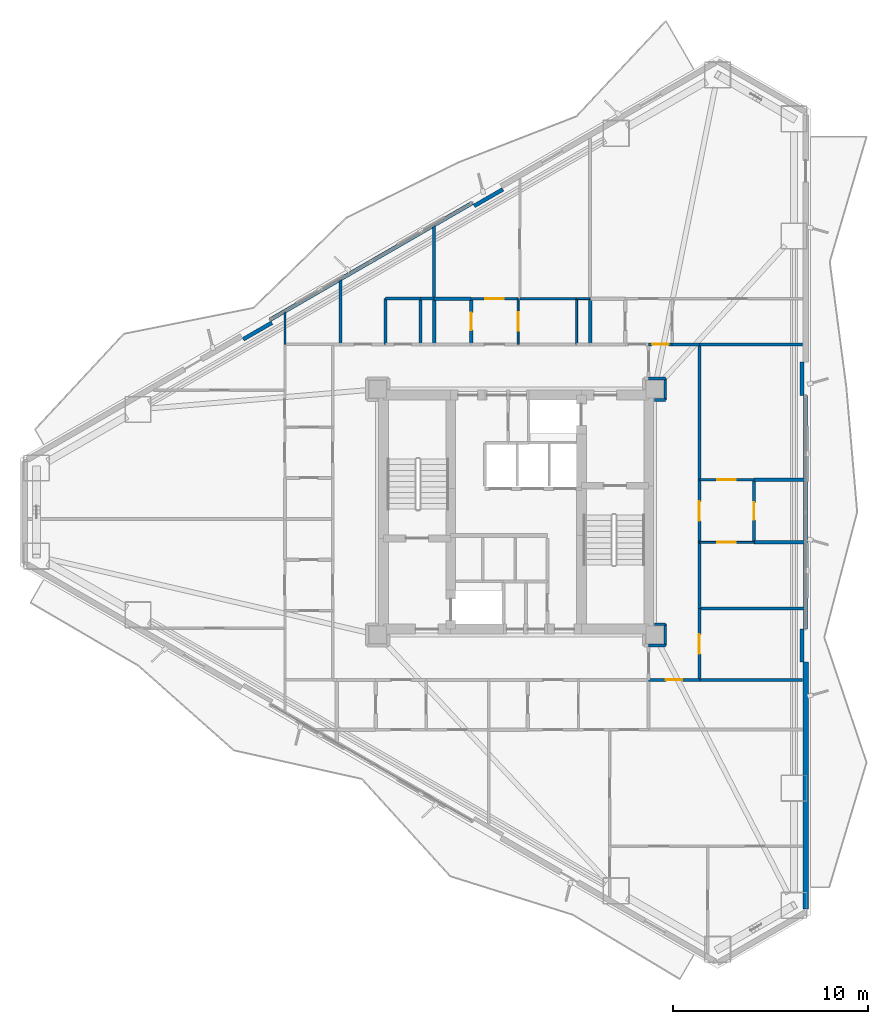
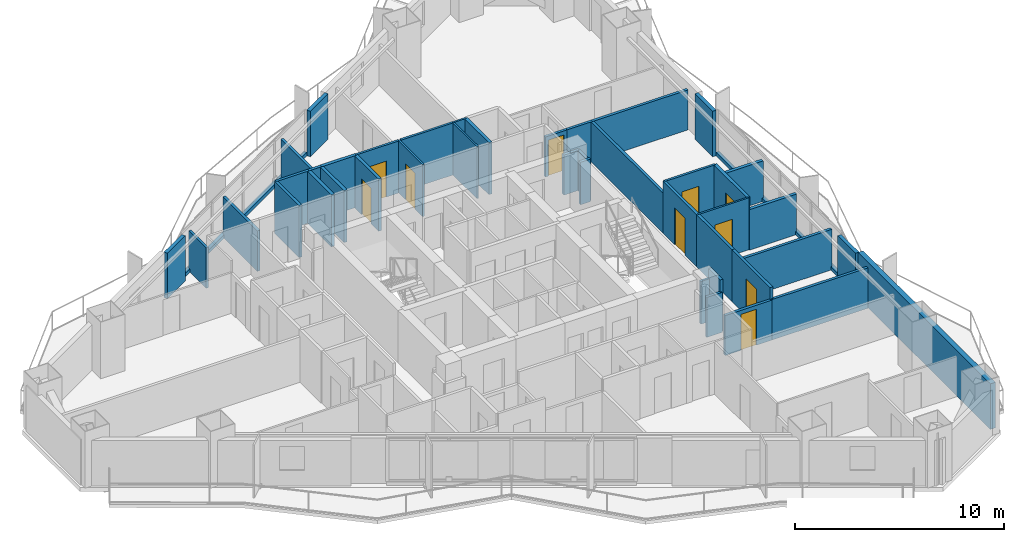
# One storey, part 15 of 18: 44 walls, 10 doors, 10 openings.
"""IFC4 building model written with IfcOpenShell, lengths in metres."""

from ifc_helpers import new_model, si_unit, direction, frame, frame_2d, origin, place, context, subcontext, project, spatial, rectangle, extrude, material, layer, layer_set, type_object, element, fill, save


model = new_model("IFC4")

# Units and contexts
model_context = context("Model", 3, precision=1e-05, world=origin(), true_north=direction((0.0, 1.0)))
body_context = subcontext(model_context, "Body", "Model", "MODEL_VIEW")
ifc_project = project(units=[si_unit("LENGTHUNIT", "METRE"), si_unit("AREAUNIT", "SQUARE_METRE"), si_unit("VOLUMEUNIT", "CUBIC_METRE"), si_unit("PLANEANGLEUNIT", "RADIAN"), si_unit("MASSUNIT", "GRAM", prefix="KILO")], contexts=[model_context])

# Site, building, storey
site_placement = place(None, origin())
site = spatial("IfcSite", under=ifc_project, at=site_placement, CompositionType="ELEMENT")
building_placement = place(site_placement, origin())
building = spatial("IfcBuilding", under=site, at=building_placement, Name="Mersakhor Tower and Convention Hall", CompositionType="ELEMENT")
storey_placement = place(building_placement, frame((0.0, 0.0, 55.5)))
storey = spatial("IfcBuildingStorey", under=building, at=storey_placement, Name="L15", CompositionType="ELEMENT", Elevation=55.5)

# Walls
ifc_material_1 = material(Name="Precast concrete C45/55", Category="concrete")
ifc_layer_1 = layer(ifc_material_1, 0.27490234375)
ifc_layer_set_1 = layer_set([ifc_layer_1], Name="Precast concrete C45/55")
wall_type_1 = type_object("IfcWallType", Name="WL-EXT-275", PredefinedType="SOLIDWALL", material=ifc_layer_set_1)
wall_1_placement = place(storey_placement, frame((43.85009765625, 19.0634765625, 0.0), z_axis=(0.0, 0.0, 1.0), x_axis=(0.0, -1.0, 0.0)))
element("IfcWall", 1, at=wall_1_placement, inside=storey, type_object=wall_type_1, Name="L15 Exterior Facade Wall F2-B3", PredefinedType="SOLIDWALL", context=body_context, shape_type="SweptSolid", body=[
    extrude(rectangle(XDim=12.673095703125, YDim=0.27490234375, at=frame_2d((6.33642578125, 0.0))), origin(), (0.0, 0.0, 1.0), 2.659912109375),
])
ifc_material_2 = material(Name="Precast concrete C40/50", Category="concrete")
ifc_layer_2 = layer(ifc_material_2, 0.199951171875)
ifc_layer_set_2 = layer_set([ifc_layer_2], Name="Precast concrete C40/50")
wall_type_2 = type_object("IfcWallType", Name="WL-PAR-200", PredefinedType="PARAPET", material=ifc_layer_set_2)
wall_2_placement = place(storey_placement, frame((16.390380859375, 36.6171875, 0.0), z_axis=(0.0, 0.0, 1.0), x_axis=(0.866027351828, 0.499996625875, 0.0)))
element("IfcWall", 2, at=wall_2_placement, inside=storey, type_object=wall_type_2, Name="L15 Curtain Wall Upstand Sill F1-B2", PredefinedType="PARAPET", context=body_context, shape_type="SweptSolid", body=[
    extrude(rectangle(XDim=11.97314453125, YDim=0.199951171875, at=frame_2d((5.986572265625, 0.0))), origin(), (0.0, 0.0, 1.0), 0.199951171875),
])
for number, where, z_axis, x_axis, name in (
    (3, (15.00830078125, 35.611328125, 0.0), (0.0, 0.0, 1.0), (0.86605165483, 0.499954529098, 0.0), "L15 Column Pier Cladding Wall F1-C1"),
    (4, (26.849609375, 42.447998046875, 0.0), (0.0, 0.0, 1.0), (0.86605165483, 0.499954529098, 0.0), "L15 Column Pier Cladding Wall F1-C2"),
):
    element("IfcWall", number, at=place(storey_placement, frame(where, z_axis=z_axis, x_axis=x_axis)), inside=storey, type_object=wall_type_2, Name=name, PredefinedType="PARAPET", context=body_context, shape_type="SweptSolid", body=[
        extrude(rectangle(XDim=1.699951171875, YDim=0.199951171875, at=frame_2d((0.85009765625, 0.0))), origin(), (0.0, 0.0, 1.0), 2.659912109375),
    ])
wall_3_placement = place(storey_placement, frame((43.85009765625, 32.736572265625, 0.0), z_axis=(0.0, 0.0, 1.0), x_axis=(0.0, -1.0, 0.0)))
element("IfcWall", 5, at=wall_3_placement, inside=storey, type_object=wall_type_2, Name="L15 Curtain Wall Upstand Sill F2-B2", PredefinedType="PARAPET", context=body_context, shape_type="SweptSolid", body=[
    extrude(rectangle(XDim=11.97314453125, YDim=0.199951171875, at=frame_2d((5.986572265625, 0.0))), origin(), (0.0, 0.0, 1.0), 0.199951171875),
])
for number, where, z_axis, x_axis, name in (
    (6, (43.669921875, 34.4365234375, 0.0), (0.0, 0.0, 1.0), (0.0, -1.0, 0.0), "L15 Column Pier Cladding Wall F2-C1"),
    (7, (43.669921875, 20.763427734375, 0.0), (0.0, 0.0, 1.0), (0.0, -1.0, 0.0), "L15 Column Pier Cladding Wall F2-C2"),
):
    element("IfcWall", number, at=place(storey_placement, frame(where, z_axis=z_axis, x_axis=x_axis)), inside=storey, type_object=wall_type_2, Name=name, PredefinedType="PARAPET", context=body_context, shape_type="SweptSolid", body=[
        extrude(rectangle(XDim=1.699951171875, YDim=0.199951171875, at=frame_2d((0.85009765625, 0.0))), origin(), (0.0, 0.0, 1.0), 2.659912109375),
    ])

# Wall, opening, door
ifc_material_3 = material(Name="Moisture-resistant acoustic drywall studwork", Category="other")
ifc_layer_3 = layer(ifc_material_3, 0.175048828125)
ifc_layer_set_3 = layer_set([ifc_layer_3], Name="Moisture-resistant acoustic drywall studwork")
wall_type_3 = type_object("IfcWallType", Name="WL-PLM-175", PredefinedType="PLUMBINGWALL", material=ifc_layer_set_3)
wall_4_placement = place(storey_placement, frame((26.699951171875, 35.35009765625, 0.0), z_axis=(0.0, 0.0, 1.0), x_axis=(0.0, 1.0, 0.0)))
wall_4 = element("IfcWall", 8, at=wall_4_placement, inside=storey, type_object=wall_type_3, Name="L15 Interior Partition Wall P-073", PredefinedType="PLUMBINGWALL", context=body_context, shape_type="SweptSolid", body=[
    extrude(rectangle(XDim=2.349853515625, YDim=0.175048828125, at=frame_2d((1.1748046875, 0.0))), origin(), (0.0, 0.0, 1.0), 3.0400390625),
])
opening_1_placement = place(wall_4_placement, frame((0.72509765625, 0.0, 0.0)))
opening_1 = element("IfcOpeningElement", 9, at=opening_1_placement, cuts=wall_4, Name="Opening WD-01", PredefinedType="OPENING", context=body_context, shape_type="SweptSolid", body=[
    extrude(rectangle(XDim=0.89990234375, YDim=2.10009765625, at=frame_2d((0.449951171875, 1.050048828125))), frame((0.0, 0.097412109375, 0.0), z_axis=(0.0, -1.0, 0.0), x_axis=(1.0, 0.0, 0.0)), (0.0, 0.0, 1.0), 0.195068359375),
])
ifc_material_4 = material(Name="Solid-core hardwood leaf in painted steel frame", Category="steel")
door_type_1 = type_object("IfcDoorType", Name="DR-INT-WET-090x210", OperationType="NOTDEFINED", PredefinedType="DOOR", material=ifc_material_4)
door_1_placement = place(opening_1_placement, origin())
door_1 = element("IfcDoor", 10, at=door_1_placement, inside=storey, type_object=door_type_1, Name="L15 L15 Flat N2 Apartment Hall to L15 Flat N2 Bathroom Door", OperationType="SINGLE_SWING_RIGHT", OverallHeight=2.10009765625, OverallWidth=0.89990234375, PredefinedType="DOOR", context=body_context, shape_type="SweptSolid", body=[
    extrude(rectangle(XDim=0.89990234375, YDim=2.10009765625, at=frame_2d((0.449951171875, 1.050048828125))), frame((0.0, 0.02490234375, 0.0), z_axis=(0.0, -1.0, 0.0), x_axis=(1.0, 0.0, 0.0)), (0.0, 0.0, 1.0), 0.050048828125),
])
fill(opening_1, door_1)

wall_5_placement = place(storey_placement, frame((41.199951171875, 28.39990234375, 0.0), z_axis=(0.0, 0.0, 1.0), x_axis=(0.0, -1.0, 0.0)))
wall_5 = element("IfcWall", 11, at=wall_5_placement, inside=storey, type_object=wall_type_3, Name="L15 Interior Partition Wall P-089", PredefinedType="PLUMBINGWALL", context=body_context, shape_type="SweptSolid", body=[
    extrude(rectangle(XDim=3.199951171875, YDim=0.175048828125, at=frame_2d((1.60009765625, 0.0))), origin(), (0.0, 0.0, 1.0), 3.0400390625),
])
opening_2_placement = place(wall_5_placement, frame((1.14990234375, 0.0, 0.0)))
opening_2 = element("IfcOpeningElement", 12, at=opening_2_placement, cuts=wall_5, Name="Opening WD-01", PredefinedType="OPENING", context=body_context, shape_type="SweptSolid", body=[
    extrude(rectangle(XDim=0.89990234375, YDim=2.10009765625, at=frame_2d((0.449951171875, 1.050048828125))), frame((0.0, 0.097412109375, 0.0), z_axis=(0.0, -1.0, 0.0), x_axis=(1.0, 0.0, 0.0)), (0.0, 0.0, 1.0), 0.195068359375),
])
door_2_placement = place(opening_2_placement, origin())
door_2 = element("IfcDoor", 13, at=door_2_placement, inside=storey, type_object=door_type_1, Name="L15 L15 Flat E8 Apartment Hall to L15 Flat E8 Bathroom Door", OperationType="SINGLE_SWING_RIGHT", OverallHeight=2.10009765625, OverallWidth=0.89990234375, PredefinedType="DOOR", context=body_context, shape_type="SweptSolid", body=[
    extrude(rectangle(XDim=0.89990234375, YDim=2.10009765625, at=frame_2d((0.449951171875, 1.050048828125))), frame((0.0, 0.02490234375, 0.0), z_axis=(0.0, -1.0, 0.0), x_axis=(1.0, 0.0, 0.0)), (0.0, 0.0, 1.0), 0.050048828125),
])
fill(opening_2, door_2)

# Walls
wall_6_placement = place(storey_placement, frame((24.10009765625, 37.699951171875, 0.0), z_axis=(0.0, 0.0, 1.0), x_axis=(0.0, -1.0, 0.0)))
element("IfcWall", 14, at=wall_6_placement, inside=storey, type_object=wall_type_3, Name="L15 Interior Partition Wall P-093", PredefinedType="PLUMBINGWALL", context=body_context, shape_type="SweptSolid", body=[
    extrude(rectangle(XDim=2.349853515625, YDim=0.175048828125, at=frame_2d((1.1748046875, 0.0))), origin(), (0.0, 0.0, 1.0), 3.0400390625),
])
wall_7_placement = place(storey_placement, frame((24.800048828125, 37.699951171875, 0.0), z_axis=(0.0, 0.0, 1.0), x_axis=(1.0, 0.0, 0.0)))
element("IfcWall", 15, at=wall_7_placement, inside=storey, type_object=wall_type_3, Name="L15 Interior Partition Wall P-095", PredefinedType="PLUMBINGWALL", context=body_context, shape_type="SweptSolid", body=[
    extrude(rectangle(XDim=1.89990234375, YDim=0.175048828125, at=frame_2d((0.949951171875, 0.0))), origin(), (0.0, 0.0, 1.0), 3.0400390625),
])
for number, where, z_axis, x_axis, name in (
    (16, (24.800048828125, 35.35009765625, 0.0), (0.0, 0.0, 1.0), (0.0, 1.0, 0.0), "L15 Interior Partition Wall P-096"),
    (17, (32.800048828125, 35.35009765625, 0.0), (0.0, 0.0, 1.0), (0.0, 1.0, 0.0), "L15 Interior Partition Wall P-100"),
):
    element("IfcWall", number, at=place(storey_placement, frame(where, z_axis=z_axis, x_axis=x_axis)), inside=storey, type_object=wall_type_3, Name=name, PredefinedType="PLUMBINGWALL", context=body_context, shape_type="SweptSolid", body=[
        extrude(rectangle(XDim=2.349853515625, YDim=0.175048828125, at=frame_2d((1.1748046875, 0.0))), origin(), (0.0, 0.0, 1.0), 3.0400390625),
    ])
for number, where, z_axis, x_axis, name in (
    (18, (41.199951171875, 28.39990234375, 0.0), (0.0, 0.0, 1.0), (1.0, 0.0, 0.0), "L15 Interior Partition Wall P-120"),
    (19, (43.81396484375, 25.199951171875, 0.0), (0.0, 0.0, 1.0), (-1.0, 0.0, 0.0), "L15 Interior Partition Wall P-121"),
):
    element("IfcWall", number, at=place(storey_placement, frame(where, z_axis=z_axis, x_axis=x_axis)), inside=storey, type_object=wall_type_3, Name=name, PredefinedType="PLUMBINGWALL", context=body_context, shape_type="SweptSolid", body=[
        extrude(rectangle(XDim=2.614013671875, YDim=0.175048828125, at=frame_2d((1.30712890625, 0.0))), origin(), (0.0, 0.0, 1.0), 2.364990234375),
    ])

# Wall, opening, door
ifc_material_5 = material(Name="Lightweight gypsum partition", Category="other")
ifc_layer_4 = layer(ifc_material_5, 0.10009765625)
ifc_layer_set_4 = layer_set([ifc_layer_4], Name="Lightweight gypsum partition")
wall_type_4 = type_object("IfcWallType", Name="WL-PRT-100", PredefinedType="PARTITIONING", material=ifc_layer_set_4)
wall_8_placement = place(storey_placement, frame((29.10009765625, 37.699951171875, 0.0), z_axis=(0.0, 0.0, 1.0), x_axis=(0.0, -1.0, 0.0)))
wall_8 = element("IfcWall", 20, at=wall_8_placement, inside=storey, type_object=wall_type_4, Name="L15 Interior Partition Wall P-072", PredefinedType="PARTITIONING", context=body_context, shape_type="SweptSolid", body=[
    extrude(rectangle(XDim=2.349853515625, YDim=0.10009765625, at=frame_2d((1.1748046875, 0.0))), origin(), (0.0, 0.0, 1.0), 3.0400390625),
])
opening_3_placement = place(wall_8_placement, frame((0.699951171875, 0.0, 0.0)))
opening_3 = element("IfcOpeningElement", 21, at=opening_3_placement, cuts=wall_8, Name="Opening RD-01", PredefinedType="OPENING", context=body_context, shape_type="SweptSolid", body=[
    extrude(rectangle(XDim=0.949951171875, YDim=2.10009765625, at=frame_2d((0.47509765625, 1.050048828125))), frame((0.0, 0.06005859375, 0.0), z_axis=(0.0, -1.0, 0.0), x_axis=(1.0, 0.0, 0.0)), (0.0, 0.0, 1.0), 0.1201171875),
])
ifc_material_6 = material(Name="Solid-core hardwood leaf in painted steel frame", Category="steel")
door_type_2 = type_object("IfcDoorType", Name="DR-INT-RM-095x210", OperationType="NOTDEFINED", PredefinedType="DOOR", material=ifc_material_6)
door_3_placement = place(opening_3_placement, origin())
door_3 = element("IfcDoor", 22, at=door_3_placement, inside=storey, type_object=door_type_2, Name="L15 L15 Flat N2 Apartment Hall to L15 Flat N2 Kitchen Door", OperationType="SINGLE_SWING_LEFT", OverallHeight=2.10009765625, OverallWidth=0.949951171875, PredefinedType="DOOR", context=body_context, shape_type="SweptSolid", body=[
    extrude(rectangle(XDim=0.949951171875, YDim=2.10009765625, at=frame_2d((0.47509765625, 1.050048828125))), frame((0.0, 0.02490234375, 0.0), z_axis=(0.0, -1.0, 0.0), x_axis=(1.0, 0.0, 0.0)), (0.0, 0.0, 1.0), 0.050048828125),
])
fill(opening_3, door_3)

wall_9_placement = place(storey_placement, frame((41.199951171875, 25.199951171875, 0.0), z_axis=(0.0, 0.0, 1.0), x_axis=(-1.0, 0.0, 0.0)))
wall_9 = element("IfcWall", 23, at=wall_9_placement, inside=storey, type_object=wall_type_4, Name="L15 Interior Partition Wall P-090", PredefinedType="PARTITIONING", context=body_context, shape_type="SweptSolid", body=[
    extrude(rectangle(XDim=2.800048828125, YDim=0.10009765625, at=frame_2d((1.39990234375, 0.0))), origin(), (0.0, 0.0, 1.0), 3.0400390625),
])
opening_4_placement = place(wall_9_placement, frame((0.925048828125, 0.0, 0.0)))
opening_4 = element("IfcOpeningElement", 24, at=opening_4_placement, cuts=wall_9, Name="Opening RD-01", PredefinedType="OPENING", context=body_context, shape_type="SweptSolid", body=[
    extrude(rectangle(XDim=0.949951171875, YDim=2.10009765625, at=frame_2d((0.47509765625, 1.050048828125))), frame((0.0, 0.06005859375, 0.0), z_axis=(0.0, -1.0, 0.0), x_axis=(1.0, 0.0, 0.0)), (0.0, 0.0, 1.0), 0.1201171875),
])
door_4_placement = place(opening_4_placement, origin())
door_4 = element("IfcDoor", 25, at=door_4_placement, inside=storey, type_object=door_type_2, Name="L15 L15 Flat E8 Apartment Hall to L15 Flat E8 Kitchen Door", OperationType="SINGLE_SWING_LEFT", OverallHeight=2.10009765625, OverallWidth=0.949951171875, PredefinedType="DOOR", context=body_context, shape_type="SweptSolid", body=[
    extrude(rectangle(XDim=0.949951171875, YDim=2.10009765625, at=frame_2d((0.47509765625, 1.050048828125))), frame((0.0, 0.02490234375, 0.0), z_axis=(0.0, -1.0, 0.0), x_axis=(1.0, 0.0, 0.0)), (0.0, 0.0, 1.0), 0.050048828125),
])
fill(opening_4, door_4)

# Walls
wall_10_placement = place(storey_placement, frame((32.10009765625, 37.699951171875, 0.0), z_axis=(0.0, 0.0, 1.0), x_axis=(0.0, -1.0, 0.0)))
element("IfcWall", 26, at=wall_10_placement, inside=storey, type_object=wall_type_4, Name="L15 Interior Partition Wall P-098", PredefinedType="PARTITIONING", context=body_context, shape_type="SweptSolid", body=[
    extrude(rectangle(XDim=2.349853515625, YDim=0.10009765625, at=frame_2d((1.1748046875, 0.0))), origin(), (0.0, 0.0, 1.0), 3.0400390625),
])
wall_11_placement = place(storey_placement, frame((32.800048828125, 37.699951171875, 0.0), z_axis=(0.0, 0.0, 1.0), x_axis=(-1.0, 0.0, 0.0)))
element("IfcWall", 27, at=wall_11_placement, inside=storey, type_object=wall_type_4, Name="L15 Interior Partition Wall P-130", PredefinedType="PARTITIONING", context=body_context, shape_type="SweptSolid", body=[
    extrude(rectangle(XDim=0.699951171875, YDim=0.10009765625, at=frame_2d((0.35009765625, 0.0))), origin(), (0.0, 0.0, 1.0), 3.0400390625),
])

# Wall, opening, door
ifc_material_7 = material(Name="Gypsum board acoustic partition", Category="other")
ifc_layer_5 = layer(ifc_material_7, 0.125)
ifc_layer_set_5 = layer_set([ifc_layer_5], Name="Gypsum board acoustic partition")
wall_type_5 = type_object("IfcWallType", Name="WL-PRT-125", PredefinedType="PARTITIONING", material=ifc_layer_set_5)
wall_12_placement = place(storey_placement, frame((26.699951171875, 37.699951171875, 0.0), z_axis=(0.0, 0.0, 1.0), x_axis=(1.0, 0.0, 0.0)))
wall_12 = element("IfcWall", 28, at=wall_12_placement, inside=storey, type_object=wall_type_5, Name="L15 Interior Partition Wall P-071", PredefinedType="PARTITIONING", context=body_context, shape_type="SweptSolid", body=[
    extrude(rectangle(XDim=2.400146484375, YDim=0.125, at=frame_2d((1.2001953125, 0.0))), origin(), (0.0, 0.0, 1.0), 3.0400390625),
])
opening_5_placement = place(wall_12_placement, frame((0.72509765625, 0.0, 0.0)))
opening_5 = element("IfcOpeningElement", 29, at=opening_5_placement, cuts=wall_12, Name="Opening RD-01", PredefinedType="OPENING", context=body_context, shape_type="SweptSolid", body=[
    extrude(rectangle(XDim=0.949951171875, YDim=2.10009765625, at=frame_2d((0.47509765625, 1.050048828125))), frame((0.0, 0.072509765625, 0.0), z_axis=(0.0, -1.0, 0.0), x_axis=(1.0, 0.0, 0.0)), (0.0, 0.0, 1.0), 0.14501953125),
])
door_5_placement = place(opening_5_placement, origin())
door_5 = element("IfcDoor", 30, at=door_5_placement, inside=storey, type_object=door_type_2, Name="L15 L15 Flat N2 Apartment Hall to L15 Flat N2 Living and Dining Room Door", OperationType="SINGLE_SWING_RIGHT", OverallHeight=2.10009765625, OverallWidth=0.949951171875, PredefinedType="DOOR", context=body_context, shape_type="SweptSolid", body=[
    extrude(rectangle(XDim=0.949951171875, YDim=2.10009765625, at=frame_2d((0.47509765625, 1.050048828125))), frame((0.0, 0.02490234375, 0.0), z_axis=(0.0, -1.0, 0.0), x_axis=(1.0, 0.0, 0.0)), (0.0, 0.0, 1.0), 0.050048828125),
])
fill(opening_5, door_5)

wall_13_placement = place(storey_placement, frame((38.39990234375, 28.39990234375, 0.0), z_axis=(0.0, 0.0, 1.0), x_axis=(1.0, 0.0, 0.0)))
wall_13 = element("IfcWall", 31, at=wall_13_placement, inside=storey, type_object=wall_type_5, Name="L15 Interior Partition Wall P-091", PredefinedType="PARTITIONING", context=body_context, shape_type="SweptSolid", body=[
    extrude(rectangle(XDim=2.800048828125, YDim=0.125, at=frame_2d((1.39990234375, 0.0))), origin(), (0.0, 0.0, 1.0), 3.0400390625),
])
opening_6_placement = place(wall_13_placement, frame((0.925048828125, 0.0, 0.0)))
opening_6 = element("IfcOpeningElement", 32, at=opening_6_placement, cuts=wall_13, Name="Opening RD-01", PredefinedType="OPENING", context=body_context, shape_type="SweptSolid", body=[
    extrude(rectangle(XDim=0.949951171875, YDim=2.10009765625, at=frame_2d((0.47509765625, 1.050048828125))), frame((0.0, 0.072509765625, 0.0), z_axis=(0.0, -1.0, 0.0), x_axis=(1.0, 0.0, 0.0)), (0.0, 0.0, 1.0), 0.14501953125),
])
door_6_placement = place(opening_6_placement, origin())
door_6 = element("IfcDoor", 33, at=door_6_placement, inside=storey, type_object=door_type_2, Name="L15 L15 Flat E8 Apartment Hall to L15 Flat E8 Studio Living and Sleeping Room Door", OperationType="SINGLE_SWING_RIGHT", OverallHeight=2.10009765625, OverallWidth=0.949951171875, PredefinedType="DOOR", context=body_context, shape_type="SweptSolid", body=[
    extrude(rectangle(XDim=0.949951171875, YDim=2.10009765625, at=frame_2d((0.47509765625, 1.050048828125))), frame((0.0, 0.02490234375, 0.0), z_axis=(0.0, -1.0, 0.0), x_axis=(1.0, 0.0, 0.0)), (0.0, 0.0, 1.0), 0.050048828125),
])
fill(opening_6, door_6)

# Walls
wall_14_placement = place(storey_placement, frame((29.199951171875, 37.699951171875, 0.0), z_axis=(0.0, 0.0, 1.0), x_axis=(1.0, 0.0, 0.0)))
element("IfcWall", 34, at=wall_14_placement, inside=storey, type_object=wall_type_5, Name="L15 Interior Partition Wall P-097", PredefinedType="PARTITIONING", context=body_context, shape_type="SweptSolid", body=[
    extrude(rectangle(XDim=2.900146484375, YDim=0.125, at=frame_2d((1.4501953125, 0.0))), origin(), (0.0, 0.0, 1.0), 3.0400390625),
])
wall_15_placement = place(storey_placement, frame((17.14990234375, 37.01416015625, 0.0), z_axis=(0.0, 0.0, 1.0), x_axis=(0.0, -1.0, 0.0)))
element("IfcWall", 35, at=wall_15_placement, inside=storey, type_object=wall_type_5, Name="L15 Interior Partition Wall P-143", PredefinedType="PARTITIONING", context=body_context, shape_type="SweptSolid", body=[
    extrude(rectangle(XDim=1.6640625, YDim=0.125, at=frame_2d((0.83203125, 0.0))), origin(), (0.0, 0.0, 1.0), 2.364990234375),
])
ifc_material_8 = material(Name="Fire-rated gypsum board stud partition", Category="other")
ifc_layer_6 = layer(ifc_material_8, 0.14990234375)
ifc_layer_set_6 = layer_set([ifc_layer_6], Name="Fire-rated gypsum board stud partition")
wall_type_6 = type_object("IfcWallType", Name="WL-PRT-150", PredefinedType="PARTITIONING", material=ifc_layer_set_6)
for number, where, z_axis, x_axis, name in (
    (36, (36.64990234375, 21.0, 0.0), (0.0, 0.0, 1.0), (-1.0, 0.0, 0.0), "L15 Interior Partition Wall P-058"),
    (37, (36.10009765625, 32.5, 0.0), (0.0, 0.0, 1.0), (1.0, 0.0, 0.0), "L15 Interior Partition Wall P-059"),
):
    element("IfcWall", number, at=place(storey_placement, frame(where, z_axis=z_axis, x_axis=x_axis)), inside=storey, type_object=wall_type_6, Name=name, PredefinedType="PARTITIONING", context=body_context, shape_type="SweptSolid", body=[
        extrude(rectangle(XDim=0.5498046875, YDim=0.14990234375, at=frame_2d((0.27490234375, 0.0))), origin(), (0.0, 0.0, 1.0), 2.48828125),
    ])
wall_16_placement = place(storey_placement, frame((36.64990234375, 32.5, 0.0), z_axis=(0.0, 0.0, 1.0), x_axis=(0.0, 1.0, 0.0)))
element("IfcWall", 38, at=wall_16_placement, inside=storey, type_object=wall_type_6, Name="L15 Interior Partition Wall P-060", PredefinedType="PARTITIONING", context=body_context, shape_type="SweptSolid", body=[
    extrude(rectangle(XDim=1.10009765625, YDim=0.14990234375, at=frame_2d((0.550048828125, 0.0))), origin(), (0.0, 0.0, 1.0), 2.33740234375),
])
wall_17_placement = place(storey_placement, frame((36.64990234375, 33.60009765625, 0.0), z_axis=(0.0, 0.0, 1.0), x_axis=(-1.0, 0.0, 0.0)))
element("IfcWall", 39, at=wall_17_placement, inside=storey, type_object=wall_type_6, Name="L15 Interior Partition Wall P-061", PredefinedType="PARTITIONING", context=body_context, shape_type="SweptSolid", body=[
    extrude(rectangle(XDim=0.849853515625, YDim=0.14990234375, at=frame_2d((0.4248046875, 0.0))), origin(), (0.0, 0.0, 1.0), 2.33740234375),
])

# Wall, opening, door
wall_18_placement = place(storey_placement, frame((35.800048828125, 35.35009765625, 0.0), z_axis=(0.0, 0.0, 1.0), x_axis=(1.0, 0.0, 0.0)))
wall_18 = element("IfcWall", 40, at=wall_18_placement, inside=storey, type_object=wall_type_6, Name="L15 Interior Partition Wall P-062", PredefinedType="PARTITIONING", context=body_context, shape_type="SweptSolid", body=[
    extrude(rectangle(XDim=1.199951171875, YDim=0.14990234375, at=frame_2d((0.60009765625, 0.0))), origin(), (0.0, 0.0, 1.0), 2.33740234375),
])
opening_7_placement = place(wall_18_placement, frame((0.175048828125, 0.0, 0.0)))
opening_7 = element("IfcOpeningElement", 41, at=opening_7_placement, cuts=wall_18, Name="Opening SVD-01", PredefinedType="OPENING", context=body_context, shape_type="SweptSolid", body=[
    extrude(rectangle(XDim=0.85009765625, YDim=2.10009765625, at=frame_2d((0.425048828125, 1.050048828125))), frame((0.0, 0.0849609375, 0.0), z_axis=(0.0, -1.0, 0.0), x_axis=(1.0, 0.0, 0.0)), (0.0, 0.0, 1.0), 0.169921875),
])
ifc_material_9 = material(Name="Fire-rated hardwood leaf and painted steel frame", Category="steel")
door_type_3 = type_object("IfcDoorType", Name="DR-INT-SVC-085x210", OperationType="NOTDEFINED", PredefinedType="DOOR", material=ifc_material_9)
door_7_placement = place(opening_7_placement, origin())
door_7 = element("IfcDoor", 42, at=door_7_placement, inside=storey, type_object=door_type_3, Name="L15 Apartment Entrance Door (Residential Ring East Corridor to L15 Flat N3 Apartment Hall)", OperationType="SINGLE_SWING_RIGHT", OverallHeight=2.10009765625, OverallWidth=0.85009765625, PredefinedType="DOOR", context=body_context, shape_type="SweptSolid", body=[
    extrude(rectangle(XDim=0.85009765625, YDim=2.10009765625, at=frame_2d((0.425048828125, 1.050048828125))), frame((0.0, 0.02490234375, 0.0), z_axis=(0.0, -1.0, 0.0), x_axis=(1.0, 0.0, 0.0)), (0.0, 0.0, 1.0), 0.050048828125),
])
fill(opening_7, door_7)

# Walls
wall_19_placement = place(storey_placement, frame((37.0, 35.35009765625, 0.0), z_axis=(0.0, 0.0, 1.0), x_axis=(1.0, 0.0, 0.0)))
element("IfcWall", 43, at=wall_19_placement, inside=storey, type_object=wall_type_6, Name="L15 Interior Partition Wall P-063", PredefinedType="PARTITIONING", context=body_context, shape_type="SweptSolid", body=[
    extrude(rectangle(XDim=1.39990234375, YDim=0.14990234375, at=frame_2d((0.699951171875, 0.0))), origin(), (0.0, 0.0, 1.0), 2.33740234375),
])
wall_20_placement = place(storey_placement, frame((38.39990234375, 35.35009765625, 0.0), z_axis=(0.0, 0.0, 1.0), x_axis=(0.0, -1.0, 0.0)))
element("IfcWall", 44, at=wall_20_placement, inside=storey, type_object=wall_type_6, Name="L15 Interior Partition Wall P-064", PredefinedType="PARTITIONING", context=body_context, shape_type="SweptSolid", body=[
    extrude(rectangle(XDim=6.9501953125, YDim=0.14990234375, at=frame_2d((3.47509765625, 0.0))), origin(), (0.0, 0.0, 1.0), 2.33740234375),
])

# Wall, opening, door
wall_21_placement = place(storey_placement, frame((38.39990234375, 28.39990234375, 0.0), z_axis=(0.0, 0.0, 1.0), x_axis=(0.0, -1.0, 0.0)))
wall_21 = element("IfcWall", 45, at=wall_21_placement, inside=storey, type_object=wall_type_6, Name="L15 Interior Partition Wall P-065", PredefinedType="PARTITIONING", context=body_context, shape_type="SweptSolid", body=[
    extrude(rectangle(XDim=3.199951171875, YDim=0.14990234375, at=frame_2d((1.60009765625, 0.0))), origin(), (0.0, 0.0, 1.0), 3.0400390625),
])
opening_8_placement = place(wall_21_placement, frame((1.10009765625, 0.0, 0.0)))
opening_8 = element("IfcOpeningElement", 46, at=opening_8_placement, cuts=wall_21, Name="Opening FD-01", PredefinedType="OPENING", context=body_context, shape_type="SweptSolid", body=[
    extrude(rectangle(XDim=1.0, YDim=2.14990234375, at=frame_2d((0.5, 1.074951171875))), frame((0.0, 0.0849609375, 0.0), z_axis=(0.0, -1.0, 0.0), x_axis=(1.0, 0.0, 0.0)), (0.0, 0.0, 1.0), 0.169921875),
])
ifc_material_10 = material(Name="Fire-rated hardwood leaf and painted steel frame", Category="steel")
door_type_4 = type_object("IfcDoorType", Name="DR-INT-FLT-100x215", OperationType="NOTDEFINED", PredefinedType="DOOR", material=ifc_material_10)
door_8_placement = place(opening_8_placement, origin())
door_8 = element("IfcDoor", 47, at=door_8_placement, inside=storey, type_object=door_type_4, Name="L15 Apartment Entrance Door (Residential Ring East Corridor to L15 Flat E8 Apartment Hall)", OperationType="SINGLE_SWING_LEFT", OverallHeight=2.14990234375, OverallWidth=1.0, PredefinedType="DOOR", context=body_context, shape_type="SweptSolid", body=[
    extrude(rectangle(XDim=1.0, YDim=2.14990234375, at=frame_2d((0.5, 1.074951171875))), frame((0.0, 0.02490234375, 0.0), z_axis=(0.0, -1.0, 0.0), x_axis=(1.0, 0.0, 0.0)), (0.0, 0.0, 1.0), 0.050048828125),
])
fill(opening_8, door_8)

# Wall
wall_22_placement = place(storey_placement, frame((38.39990234375, 25.199951171875, 0.0), z_axis=(0.0, 0.0, 1.0), x_axis=(0.0, -1.0, 0.0)))
element("IfcWall", 48, at=wall_22_placement, inside=storey, type_object=wall_type_6, Name="L15 Interior Partition Wall P-066", PredefinedType="PARTITIONING", context=body_context, shape_type="SweptSolid", body=[
    extrude(rectangle(XDim=3.39990234375, YDim=0.14990234375, at=frame_2d((1.699951171875, 0.0))), origin(), (0.0, 0.0, 1.0), 3.0400390625),
])

# Wall, opening, door
wall_23_placement = place(storey_placement, frame((38.39990234375, 21.800048828125, 0.0), z_axis=(0.0, 0.0, 1.0), x_axis=(0.0, -1.0, 0.0)))
wall_23 = element("IfcWall", 49, at=wall_23_placement, inside=storey, type_object=wall_type_6, Name="L15 Interior Partition Wall P-067", PredefinedType="PARTITIONING", context=body_context, shape_type="SweptSolid", body=[
    extrude(rectangle(XDim=3.650146484375, YDim=0.14990234375, at=frame_2d((1.8251953125, 0.0))), origin(), (0.0, 0.0, 1.0), 3.0400390625),
])
opening_9_placement = place(wall_23_placement, frame((1.324951171875, 0.0, 0.0)))
opening_9 = element("IfcOpeningElement", 50, at=opening_9_placement, cuts=wall_23, Name="Opening FD-01", PredefinedType="OPENING", context=body_context, shape_type="SweptSolid", body=[
    extrude(rectangle(XDim=1.0, YDim=2.14990234375, at=frame_2d((0.5, 1.074951171875))), frame((0.0, 0.0849609375, 0.0), z_axis=(0.0, -1.0, 0.0), x_axis=(1.0, 0.0, 0.0)), (0.0, 0.0, 1.0), 0.169921875),
])
door_9_placement = place(opening_9_placement, origin())
door_9 = element("IfcDoor", 51, at=door_9_placement, inside=storey, type_object=door_type_4, Name="L15 Residential Ring East Corridor to L15 East Wing Quiet Homework Room Door", OperationType="SINGLE_SWING_LEFT", OverallHeight=2.14990234375, OverallWidth=1.0, PredefinedType="DOOR", context=body_context, shape_type="SweptSolid", body=[
    extrude(rectangle(XDim=1.0, YDim=2.14990234375, at=frame_2d((0.5, 1.074951171875))), frame((0.0, 0.02490234375, 0.0), z_axis=(0.0, -1.0, 0.0), x_axis=(1.0, 0.0, 0.0)), (0.0, 0.0, 1.0), 0.050048828125),
])
fill(opening_9, door_9)

wall_24_placement = place(storey_placement, frame((38.39990234375, 18.14990234375, 0.0), z_axis=(0.0, 0.0, 1.0), x_axis=(-1.0, 0.0, 0.0)))
wall_24 = element("IfcWall", 52, at=wall_24_placement, inside=storey, type_object=wall_type_6, Name="L15 Interior Partition Wall P-068", PredefinedType="PARTITIONING", context=body_context, shape_type="SweptSolid", body=[
    extrude(rectangle(XDim=2.599853515625, YDim=0.14990234375, at=frame_2d((1.2998046875, 0.0))), origin(), (0.0, 0.0, 1.0), 2.33740234375),
])
opening_10_placement = place(wall_24_placement, frame((0.875, 0.0, 0.0)))
opening_10 = element("IfcOpeningElement", 53, at=opening_10_placement, cuts=wall_24, Name="Opening SVD-01", PredefinedType="OPENING", context=body_context, shape_type="SweptSolid", body=[
    extrude(rectangle(XDim=0.85009765625, YDim=2.10009765625, at=frame_2d((0.425048828125, 1.050048828125))), frame((0.0, 0.0849609375, 0.0), z_axis=(0.0, -1.0, 0.0), x_axis=(1.0, 0.0, 0.0)), (0.0, 0.0, 1.0), 0.169921875),
])
door_10_placement = place(opening_10_placement, origin())
door_10 = element("IfcDoor", 54, at=door_10_placement, inside=storey, type_object=door_type_3, Name="L15 Residential Ring East Corridor to L15 South Wing Household Store Room Door", OperationType="SINGLE_SWING_RIGHT", OverallHeight=2.10009765625, OverallWidth=0.85009765625, PredefinedType="DOOR", context=body_context, shape_type="SweptSolid", body=[
    extrude(rectangle(XDim=0.85009765625, YDim=2.10009765625, at=frame_2d((0.425048828125, 1.050048828125))), frame((0.0, 0.02490234375, 0.0), z_axis=(0.0, -1.0, 0.0), x_axis=(1.0, 0.0, 0.0)), (0.0, 0.0, 1.0), 0.050048828125),
])
fill(opening_10, door_10)

# Walls
wall_25_placement = place(storey_placement, frame((35.800048828125, 19.89990234375, 0.0), z_axis=(0.0, 0.0, 1.0), x_axis=(1.0, 0.0, 0.0)))
element("IfcWall", 55, at=wall_25_placement, inside=storey, type_object=wall_type_6, Name="L15 Interior Partition Wall P-069", PredefinedType="PARTITIONING", context=body_context, shape_type="SweptSolid", body=[
    extrude(rectangle(XDim=0.849853515625, YDim=0.14990234375, at=frame_2d((0.4248046875, 0.0))), origin(), (0.0, 0.0, 1.0), 2.33740234375),
])
wall_26_placement = place(storey_placement, frame((36.64990234375, 19.89990234375, 0.0), z_axis=(0.0, 0.0, 1.0), x_axis=(0.0, 1.0, 0.0)))
element("IfcWall", 56, at=wall_26_placement, inside=storey, type_object=wall_type_6, Name="L15 Interior Partition Wall P-070", PredefinedType="PARTITIONING", context=body_context, shape_type="SweptSolid", body=[
    extrude(rectangle(XDim=1.10009765625, YDim=0.14990234375, at=frame_2d((0.550048828125, 0.0))), origin(), (0.0, 0.0, 1.0), 3.0400390625),
])
wall_27_placement = place(storey_placement, frame((22.300048828125, 37.699951171875, 0.0), z_axis=(0.0, 0.0, 1.0), x_axis=(1.0, 0.0, 0.0)))
element("IfcWall", 57, at=wall_27_placement, inside=storey, type_object=wall_type_6, Name="L15 Interior Partition Wall P-092", PredefinedType="PARTITIONING", context=body_context, shape_type="SweptSolid", body=[
    extrude(rectangle(XDim=1.800048828125, YDim=0.14990234375, at=frame_2d((0.89990234375, 0.0))), origin(), (0.0, 0.0, 1.0), 3.0400390625),
])
wall_28_placement = place(storey_placement, frame((22.300048828125, 35.35009765625, 0.0), z_axis=(0.0, 0.0, 1.0), x_axis=(0.0, 1.0, 0.0)))
element("IfcWall", 58, at=wall_28_placement, inside=storey, type_object=wall_type_6, Name="L15 Interior Partition Wall P-094", PredefinedType="PARTITIONING", context=body_context, shape_type="SweptSolid", body=[
    extrude(rectangle(XDim=2.349853515625, YDim=0.14990234375, at=frame_2d((1.1748046875, 0.0))), origin(), (0.0, 0.0, 1.0), 3.0400390625),
])
wall_29_placement = place(storey_placement, frame((43.6884765625, 35.35009765625, 0.0), z_axis=(0.0, 0.0, 1.0), x_axis=(-1.0, 0.0, 0.0)))
element("IfcWall", 59, at=wall_29_placement, inside=storey, type_object=wall_type_6, Name="L15 Interior Partition Wall P-101", PredefinedType="PARTITIONING", context=body_context, shape_type="SweptSolid", body=[
    extrude(rectangle(XDim=5.28857421875, YDim=0.14990234375, at=frame_2d((2.644287109375, 0.0))), origin(), (0.0, 0.0, 1.0), 2.33740234375),
])
wall_30_placement = place(storey_placement, frame((43.81396484375, 21.800048828125, 0.0), z_axis=(0.0, 0.0, 1.0), x_axis=(-1.0, 0.0, 0.0)))
element("IfcWall", 60, at=wall_30_placement, inside=storey, type_object=wall_type_6, Name="L15 Interior Partition Wall P-122", PredefinedType="PARTITIONING", context=body_context, shape_type="SweptSolid", body=[
    extrude(rectangle(XDim=5.4140625, YDim=0.14990234375, at=frame_2d((2.70703125, 0.0))), origin(), (0.0, 0.0, 1.0), 2.364990234375),
])
wall_31_placement = place(storey_placement, frame((38.39990234375, 18.14990234375, 0.0), z_axis=(0.0, 0.0, 1.0), x_axis=(1.0, 0.0, 0.0)))
element("IfcWall", 61, at=wall_31_placement, inside=storey, type_object=wall_type_6, Name="L15 Interior Partition Wall P-124", PredefinedType="PARTITIONING", context=body_context, shape_type="SweptSolid", body=[
    extrude(rectangle(XDim=5.28857421875, YDim=0.14990234375, at=frame_2d((2.644287109375, 0.0))), origin(), (0.0, 0.0, 1.0), 2.364990234375),
])
wall_32_placement = place(storey_placement, frame((24.800048828125, 41.430908203125, 0.0), z_axis=(0.0, 0.0, 1.0), x_axis=(0.0, -1.0, 0.0)))
element("IfcWall", 62, at=wall_32_placement, inside=storey, type_object=wall_type_6, Name="L15 Interior Partition Wall P-126", PredefinedType="PARTITIONING", context=body_context, shape_type="SweptSolid", body=[
    extrude(rectangle(XDim=3.73095703125, YDim=0.14990234375, at=frame_2d((1.865478515625, 0.0))), origin(), (0.0, 0.0, 1.0), 2.364990234375),
])
wall_33_placement = place(storey_placement, frame((24.800048828125, 37.699951171875, 0.0), z_axis=(0.0, 0.0, 1.0), x_axis=(-1.0, 0.0, 0.0)))
element("IfcWall", 63, at=wall_33_placement, inside=storey, type_object=wall_type_6, Name="L15 Interior Partition Wall P-127", PredefinedType="PARTITIONING", context=body_context, shape_type="SweptSolid", body=[
    extrude(rectangle(XDim=0.699951171875, YDim=0.14990234375, at=frame_2d((0.35009765625, 0.0))), origin(), (0.0, 0.0, 1.0), 3.0400390625),
])
wall_34_placement = place(storey_placement, frame((20.0, 35.35009765625, 0.0), z_axis=(0.0, 0.0, 1.0), x_axis=(0.0, 1.0, 0.0)))
element("IfcWall", 64, at=wall_34_placement, inside=storey, type_object=wall_type_6, Name="L15 Interior Partition Wall P-128", PredefinedType="PARTITIONING", context=body_context, shape_type="SweptSolid", body=[
    extrude(rectangle(XDim=3.3095703125, YDim=0.14990234375, at=frame_2d((1.65478515625, 0.0))), origin(), (0.0, 0.0, 1.0), 2.364990234375),
])

save(model, "model.ifc")
